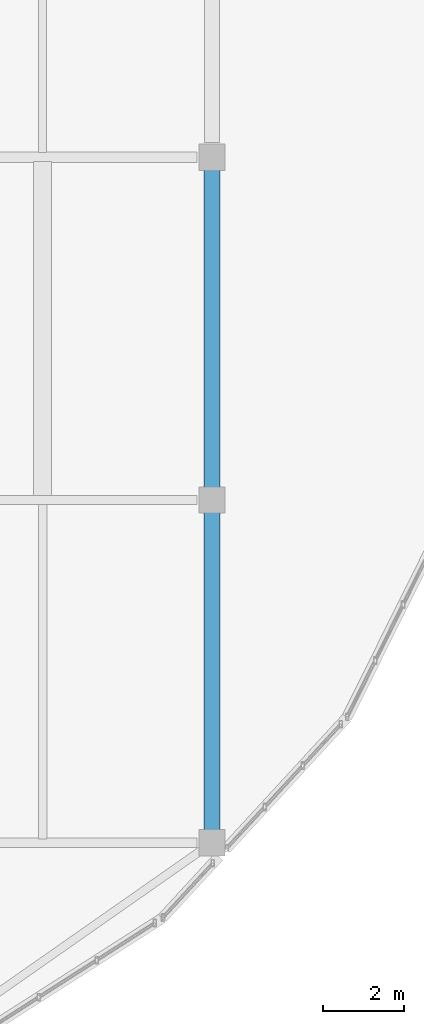
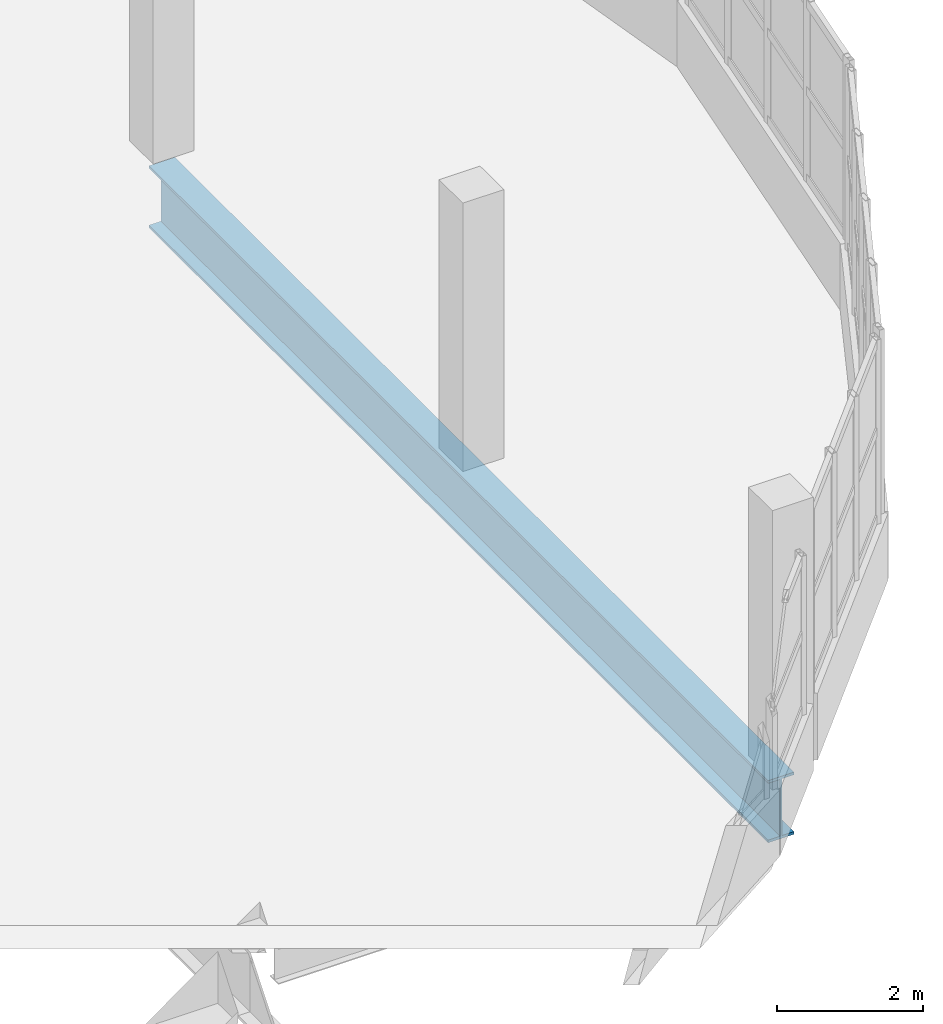
# One storey, part 22 of 50: 1 beam.
"""IFC4 building model written with IfcOpenShell, lengths in metres."""

from ifc_helpers import new_model, si_unit, direction, frame, origin, origin_2d, place, context, subcontext, project, spatial, i_section, extrude, material, material_profile, profile_set, type_object, element, save


model = new_model("IFC4")

# Units and contexts
model_context = context("Model", 3, precision=1e-05, world=origin(), true_north=direction((0.0, 1.0)))
body_context = subcontext(model_context, "Body", "Model", "MODEL_VIEW")
ifc_project = project(units=[si_unit("LENGTHUNIT", "METRE"), si_unit("AREAUNIT", "SQUARE_METRE"), si_unit("VOLUMEUNIT", "CUBIC_METRE"), si_unit("PLANEANGLEUNIT", "RADIAN"), si_unit("MASSUNIT", "GRAM", prefix="KILO")], contexts=[model_context])

# Site, building, storey
site_placement = place(None, origin())
site = spatial("IfcSite", under=ifc_project, at=site_placement, CompositionType="ELEMENT")
building_placement = place(site_placement, origin())
building = spatial("IfcBuilding", under=site, at=building_placement, Name="Solvento Point Concert Hall", CompositionType="ELEMENT")
storey_placement = place(building_placement, frame((0.0, 0.0, 15.0)))
storey = spatial("IfcBuildingStorey", under=building, at=storey_placement, Name="L03", CompositionType="ELEMENT", Elevation=15.0)

# Beam
ifc_material = material(Name="Structural Steel ASTM A992 Grade 50", Category="steel")
ifc_material_profile = material_profile(ifc_material, i_section(OverallWidth=0.408935546875, OverallDepth=1.041015625, WebThickness=0.031005859375, FlangeThickness=0.04443359375, at=origin_2d()), Name="W40X397")
ifc_profile_set = profile_set([ifc_material_profile], Name="Structural Steel ASTM A992 Grade 50")
beam_type = type_object("IfcBeamType", Name="CantileverGirder_W40X397", PredefinedType="USERDEFINED", material=ifc_profile_set)
beam_placement = place(storey_placement, frame((82.800048828125, 34.0, -0.785400390625), z_axis=(0.0, -1.0, 0.0), x_axis=(1.0, 0.0, 0.0)))
element("IfcBeam", 1, at=beam_placement, inside=storey, type_object=beam_type, Name="Radial back-span girder CG-01 L03", ObjectType="GIRDER", PredefinedType="USERDEFINED", context=body_context, shape_type="SweptSolid", body=[
    extrude(i_section(OverallWidth=0.408935546875, OverallDepth=1.041015625, WebThickness=0.031005859375, FlangeThickness=0.04443359375, at=origin_2d()), origin(), (0.0, 0.0, 1.0), 17.0),
])

save(model, "model.ifc")
